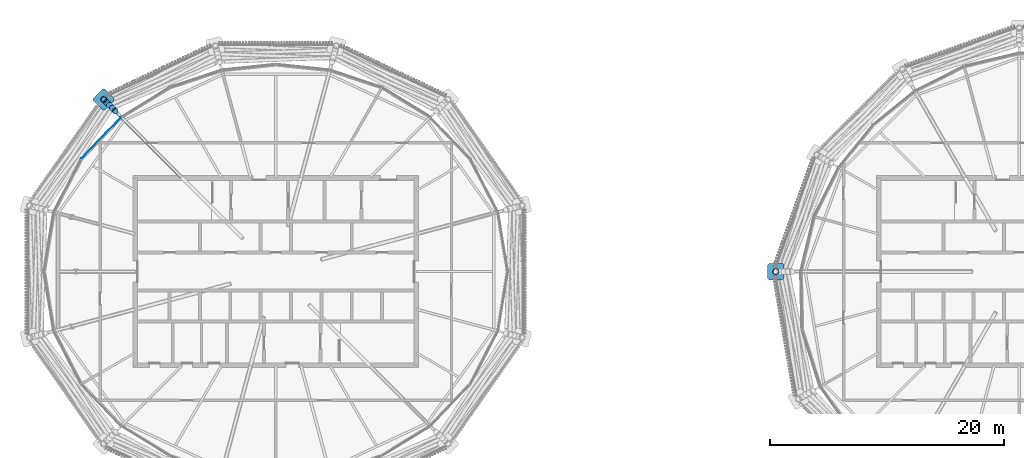
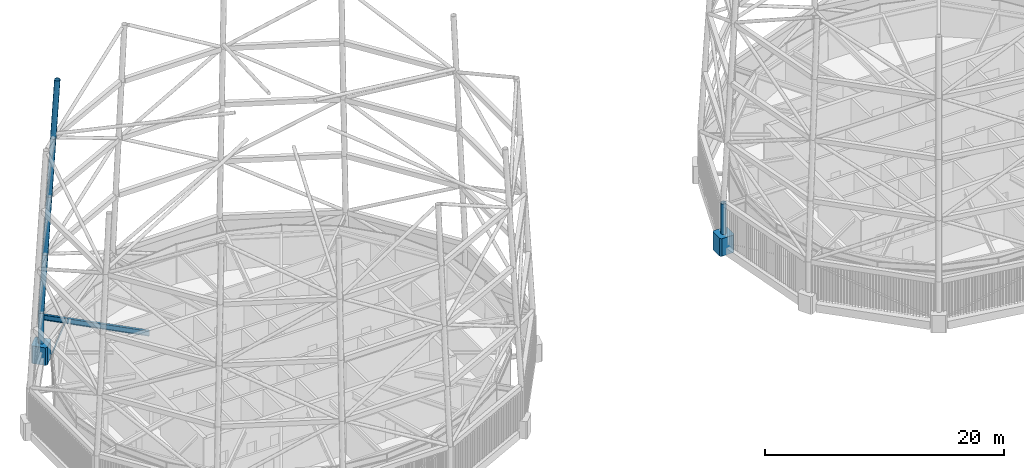
# One storey, part 27 of 71: 9 members, 1 beam, 1 element without a shape of its own.
"""IFC4 building model written with IfcOpenShell, lengths in metres."""

from ifc_helpers import new_model, si_unit, direction, frame, origin, origin_2d, place, context, subcontext, project, spatial, polyline, rectangle, hollow_circle, i_section, outline, extrude, material, material_profile, profile_set, type_object, element, aggregate, save


model = new_model("IFC4")

# Units and contexts
model_context = context("Model", 3, precision=1e-05, world=origin(), true_north=direction((0.0, 1.0)))
body_context = subcontext(model_context, "Body", "Model", "MODEL_VIEW")
ifc_project = project(units=[si_unit("LENGTHUNIT", "METRE"), si_unit("AREAUNIT", "SQUARE_METRE"), si_unit("VOLUMEUNIT", "CUBIC_METRE"), si_unit("PLANEANGLEUNIT", "RADIAN"), si_unit("MASSUNIT", "GRAM", prefix="KILO")], contexts=[model_context])

# Site, building, storey
site_placement = place(None, origin())
site = spatial("IfcSite", under=ifc_project, at=site_placement, CompositionType="ELEMENT")
building_placement = place(site_placement, origin())
building = spatial("IfcBuilding", under=site, at=building_placement, Name="Rimbun Link Towers", CompositionType="ELEMENT")
storey_placement = place(building_placement, frame((0.0, 0.0, 267.60009765625)))
storey = spatial("IfcBuildingStorey", under=building, at=storey_placement, Name="L65", CompositionType="ELEMENT", Elevation=267.60009765625)

# Curtain wall, member
ifc_material_1 = material(Name="Aluminium 6063-T6 louvre wall", Category="aluminium")
curtain_wall_type = type_object("IfcCurtainWallType", Name="CW6 plant floor louvre wall", PredefinedType="NOTDEFINED", material=ifc_material_1)
curtain_wall_placement = place(storey_placement, origin())
curtain_wall = element("IfcCurtainWall", 1, at=curtain_wall_placement, inside=storey, type_object=curtain_wall_type, Name="CW6 L65 T1", PredefinedType="NOTDEFINED")
ifc_material_2 = material(Name="Aluminium 6063-T6", Category="aluminium")
ifc_material_profile_1 = material_profile(ifc_material_2, rectangle(XDim=0.06005859375, YDim=0.1201171875, at=origin_2d()), Name="TRANSOM 60X120")
ifc_profile_set_1 = profile_set([ifc_material_profile_1], Name="Aluminium 6063-T6")
member_type_1 = type_object("IfcMemberType", Name="CW6 transom 60X120", PredefinedType="USERDEFINED", material=ifc_profile_set_1)
member_1_placement = place(storey_placement, frame((-48.352783203125, 9.655029296875, 3.39990234375), z_axis=(0.692070465615, 0.721829945779, 0.0), x_axis=(-0.721829945779, 0.692070465615, 0.0)))
member_1 = element("IfcMember", 2, at=member_1_placement, type_object=member_type_1, Name="CW6 transom", ObjectType="TRANSOM", PredefinedType="USERDEFINED", context=body_context, shape_type="SweptSolid", body=[
    extrude(rectangle(XDim=0.06005859375, YDim=0.1201171875, at=origin_2d()), origin(), (0.0, 0.0, 1.0), 4.88134765625),
])
aggregate(curtain_wall, [member_1])

# Members
ifc_material_3 = material(Name="Steel S355J2H", Category="steel")
ifc_material_profile_2 = material_profile(ifc_material_3, hollow_circle(Radius=0.25390625, WallThickness=0.02001953125, at=origin_2d()), Name="Crown frame post CHS 508x20")
ifc_profile_set_2 = profile_set([ifc_material_profile_2], Name="Steel S355J2H")
member_type_2 = type_object("IfcMemberType", Name="Crown frame post CHS 508x20", PredefinedType="POST", material=ifc_profile_set_2)
member_2_placement = place(storey_placement, frame((-46.451171875, 14.701171875, 0.0), z_axis=(0.0, 0.0, 1.0), x_axis=(1.0, 0.0, 0.0)))
element("IfcMember", 3, at=member_2_placement, inside=storey, type_object=member_type_2, Name="CROWN FRAME post T1 1-04", PredefinedType="POST", context=body_context, shape_type="SweptSolid", body=[
    extrude(hollow_circle(Radius=0.25390625, WallThickness=0.02001953125, at=origin_2d()), origin(), (0.0, 0.0, 1.0), 4.0),
])
for number, where, z_axis, x_axis, name in (
    (4, (-46.451171875, 14.701171875, 4.0), (0.041189705162, -0.041189705162, 0.99830196653), (0.707106781187, 0.707106781187, 0.0), "CROWN FRAME post T1 2-04"),
    (5, (-46.20361328125, 14.45361328125, 10.0), (0.041189705162, -0.041189705162, 0.99830196653), (0.707106781187, 0.707106781187, 0.0), "CROWN FRAME post T1 3-04"),
    (6, (-45.9560546875, 14.2060546875, 16.0), (0.041189705162, -0.041189705162, 0.99830196653), (0.707106781187, 0.707106781187, 0.0), "CROWN FRAME post T1 4-04"),
    (7, (-45.70849609375, 13.95849609375, 22.0), (0.041149221782, -0.041149221782, 0.998305305552), (0.707106781187, 0.707106781187, 0.0), "CROWN FRAME post T1 5-04"),
):
    element("IfcMember", number, at=place(storey_placement, frame(where, z_axis=z_axis, x_axis=x_axis)), inside=storey, type_object=member_type_2, Name=name, PredefinedType="POST", context=body_context, shape_type="SweptSolid", body=[
        extrude(hollow_circle(Radius=0.25390625, WallThickness=0.02001953125, at=origin_2d()), origin(), (0.0, 0.0, 1.0), 6.01025390625),
    ])
member_3_placement = place(storey_placement, frame((10.95947265625, 0.0, 0.0), z_axis=(0.0, 0.0, 1.0), x_axis=(1.0, 0.0, 0.0)))
element("IfcMember", 8, at=member_3_placement, inside=storey, type_object=member_type_2, Name="CROWN FRAME post T2 1-04", PredefinedType="POST", context=body_context, shape_type="SweptSolid", body=[
    extrude(hollow_circle(Radius=0.25390625, WallThickness=0.02001953125, at=origin_2d()), origin(), (0.0, 0.0, 1.0), 4.0),
])
ifc_material_4 = material(Name="Cast steel G20Mn5+QT, Rp0.2 300 MPa", Category="steel")
ifc_material_profile_3 = material_profile(ifc_material_4, outline(polyline([(0.699951171875, -0.570068359375), (0.699951171875, 0.570068359375), (0.570068359375, 0.699951171875), (-0.570068359375, 0.699951171875), (-0.699951171875, 0.570068359375), (-0.699951171875, -0.570068359375), (-0.570068359375, -0.699951171875), (0.570068359375, -0.699951171875), (0.699951171875, -0.570068359375)])), Name="NODE 1400x1400")
ifc_profile_set_3 = profile_set([ifc_material_profile_3], Name="Cast steel G20Mn5+QT, Rp0.2 300 MPa")
member_type_3 = type_object("IfcMemberType", Name="Diagrid node cast 1400", PredefinedType="USERDEFINED", material=ifc_profile_set_3)
for number, where, z_axis, x_axis, name in (
    (9, (-46.451171875, 14.701171875, -0.900146484375), (0.0, 0.0, 1.0), (-0.707106781187, 0.707106781187, 0.0), "Diagrid node L65 09"),
    (10, (10.95947265625, 0.0, -0.900146484375), (0.0, 0.0, 1.0), (-1.0, 0.0, 0.0), "Diagrid node L65 09"),
):
    element("IfcMember", number, at=place(storey_placement, frame(where, z_axis=z_axis, x_axis=x_axis)), inside=storey, type_object=member_type_3, Name=name, ObjectType="Diagrid node", PredefinedType="USERDEFINED", context=body_context, shape_type="SweptSolid", body=[
        extrude(outline(polyline([(0.699951171875, -0.570068359375), (0.699951171875, 0.570068359375), (0.570068359375, 0.699951171875), (-0.570068359375, 0.699951171875), (-0.699951171875, 0.570068359375), (-0.699951171875, -0.570068359375), (-0.570068359375, -0.699951171875), (0.570068359375, -0.699951171875), (0.699951171875, -0.570068359375)])), origin(), (0.0, 0.0, 1.0), 1.800048828125),
    ])

# Beam
ifc_material_5 = material(Name="Steel S355J2", Category="steel")
ifc_material_profile_4 = material_profile(ifc_material_5, i_section(OverallWidth=0.209228515625, OverallDepth=0.533203125, WebThickness=0.010009765625, FlangeThickness=0.015625, at=origin_2d()), Name="UB 533x210x92")
ifc_profile_set_4 = profile_set([ifc_material_profile_4], Name="Steel S355J2")
beam_type = type_object("IfcBeamType", Name="UB 533x210x92", PredefinedType="BEAM", material=ifc_profile_set_4)
beam_placement = place(storey_placement, frame((-39.82470703125, 8.07470703125, 3.533447265625), z_axis=(-0.707106781187, 0.707106781187, 0.0), x_axis=(-0.707106781187, -0.707106781187, 0.0)))
element("IfcBeam", 11, at=beam_placement, inside=storey, type_object=beam_type, Name="Radial beam T1 L65 09", PredefinedType="BEAM", context=body_context, shape_type="SweptSolid", body=[
    extrude(i_section(OverallWidth=0.209228515625, OverallDepth=0.533203125, WebThickness=0.010009765625, FlangeThickness=0.015625, at=origin_2d()), origin(), (0.0, 0.0, 1.0), 9.111328125),
])

save(model, "model.ifc")
